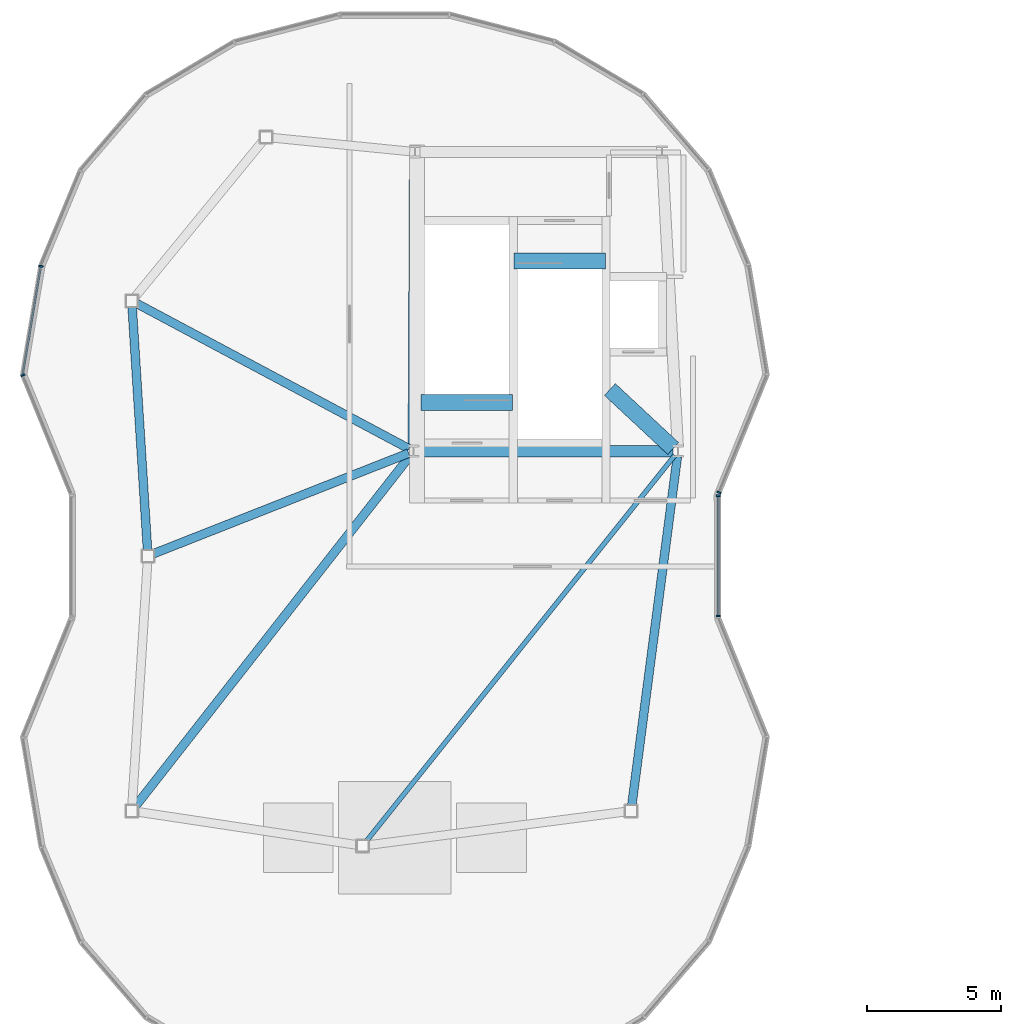
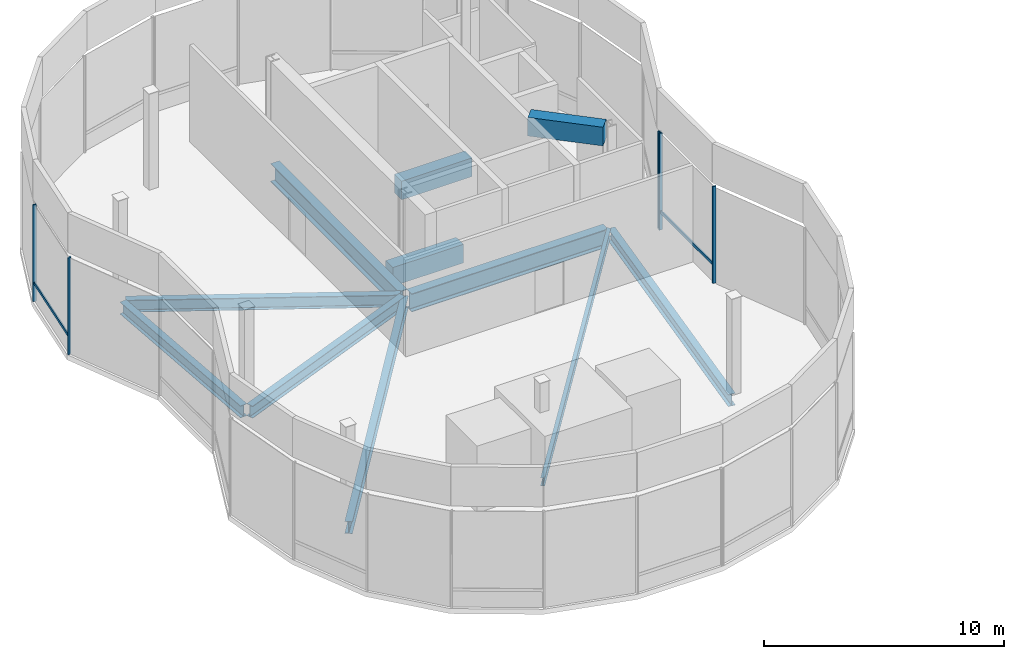
# One storey, part 4 of 14: 11 beams, 7 members, 3 elements without a shape of their own.
"""IFC4 building model written with IfcOpenShell, lengths in metres."""

import ifcopenshell
import ifcopenshell.guid

model = None  # the IFC model being written
_history = None  # IfcOwnerHistory: only IFC2X3 demands one
_inside = {}  # id of a spatial element -> (the spatial element, [elements in it])
_under = {}  # id of a project, library or spatial element -> (it, [spatial elements below it])
_declared = {}  # id of a project -> (the project, [libraries it declares])
_typed = {}  # id of a type object -> (the type object, [elements of that type])
_made_of = {}  # id of a material, layer set ... -> (it, [elements and type objects made of it])


def new_model(schema):
    """Start an empty IFC model of exactly this schema.

    Asked for "IFC4X3", IfcOpenShell would pick the latest addendum, in which some entities
    have other attributes; the version numbers below select the first issue.
    IFC2X3 requires an IfcOwnerHistory on every rooted entity: one is made here for all.
    """
    global model, _history
    if schema == "IFC4X3":
        model = ifcopenshell.file(schema_version=(4, 3, 0, 0))
    else:
        model = ifcopenshell.file(schema=schema)
    _inside.clear()
    _under.clear()
    _declared.clear()
    _typed.clear()
    _made_of.clear()
    _history = None
    if model.schema == "IFC2X3":
        org = make("IfcOrganization", Name="unknown")
        user = make(
            "IfcPersonAndOrganization",
            ThePerson=make("IfcPerson", FamilyName="unknown"),
            TheOrganization=org,
        )
        app = make(
            "IfcApplication",
            ApplicationDeveloper=org,
            Version="unknown",
            ApplicationFullName="unknown",
            ApplicationIdentifier="unknown",
        )
        _history = make(
            "IfcOwnerHistory",
            OwningUser=user,
            OwningApplication=app,
            ChangeAction="ADDED",
            CreationDate=0,
        )
    return model


def make(cls, **values):
    """One entity of the class cls with the attributes given. An attribute that is None is left unset."""
    return model.create_entity(
        cls, **{name: value for name, value in values.items() if value is not None}
    )


def rooted(cls, **values):
    """An entity with a GlobalId (a new one), such as an element, a storey or a relation."""
    return make(cls, GlobalId=ifcopenshell.guid.new(), OwnerHistory=_history, **values)


def si_unit(unit_type, name, prefix=None):
    """IfcSIUnit, for example si_unit("LENGTHUNIT", "METRE", prefix="MILLI")."""
    return make("IfcSIUnit", UnitType=unit_type, Prefix=prefix, Name=name)


def assignment(units):
    """IfcUnitAssignment: the units of a project."""
    return None if units is None else make("IfcUnitAssignment", Units=units)


def point(xyz):
    """IfcCartesianPoint."""
    return None if xyz is None else make("IfcCartesianPoint", Coordinates=xyz)


def direction(xyz):
    """IfcDirection."""
    return None if xyz is None else make("IfcDirection", DirectionRatios=xyz)


def frame(location, z_axis=None, x_axis=None):
    """IfcAxis2Placement3D, a coordinate frame: its origin and axes. An axis left out is left unset."""
    return make(
        "IfcAxis2Placement3D",
        Location=point(location),
        Axis=direction(z_axis),
        RefDirection=direction(x_axis),
    )


def frame_2d(location, x_axis=None):
    """IfcAxis2Placement2D, a coordinate frame in the plane: its origin and x axis."""
    return make(
        "IfcAxis2Placement2D", Location=point(location), RefDirection=direction(x_axis)
    )


def origin():
    """The frame at (0, 0, 0) with its axes left unset."""
    return frame((0.0, 0.0, 0.0))


def origin_2d():
    """The frame at (0, 0) in the plane with its x axis left unset."""
    return frame_2d((0.0, 0.0))


def place(relative_to, where):
    """IfcLocalPlacement: puts the frame where relative to a parent placement (None: the world)."""
    return make(
        "IfcLocalPlacement", PlacementRelTo=relative_to, RelativePlacement=where
    )


def context(
    kind, dimensions, precision=None, world=None, true_north=None, identifier=None
):
    """IfcGeometricRepresentationContext, for example the 3D "Model" context."""
    return make(
        "IfcGeometricRepresentationContext",
        ContextIdentifier=identifier,
        ContextType=kind,
        CoordinateSpaceDimension=dimensions,
        Precision=precision,
        WorldCoordinateSystem=world,
        TrueNorth=true_north,
    )


def subcontext(parent, identifier, kind, view, scale=None):
    """IfcGeometricRepresentationSubContext, for example "Body" below "Model"."""
    return make(
        "IfcGeometricRepresentationSubContext",
        ContextIdentifier=identifier,
        ContextType=kind,
        ParentContext=parent,
        TargetScale=scale,
        TargetView=view,
    )


def project(units=None, contexts=None):
    """IfcProject with its units and contexts."""
    return rooted(
        "IfcProject",
        Name="project",
        RepresentationContexts=contexts,
        UnitsInContext=assignment(units),
    )


def spatial(cls, under=None, at=None, **own):
    """A site, building, storey or space (cls), placed at a placement, below another one or the project."""
    s = rooted(cls, ObjectPlacement=at, **own)
    if under is not None:
        _under.setdefault(under.id(), (under, []))[1].append(s)
    return s


def profile(cls, at=None, kind="AREA", **sizes):
    """A parametric profile (cls). Its sizes go by their IFC names, for example OverallWidth=200.0."""
    return make(cls, ProfileType=kind, Position=at, **sizes)


def rectangle(**sizes):
    """IfcRectangleProfileDef."""
    return profile("IfcRectangleProfileDef", **sizes)


def i_section(**sizes):
    """IfcIShapeProfileDef."""
    return profile("IfcIShapeProfileDef", **sizes)


def extrude(swept, where, along, depth):
    """IfcExtrudedAreaSolid: the profile swept, set in the frame where, extruded along a direction by depth."""
    return make(
        "IfcExtrudedAreaSolid",
        SweptArea=swept,
        Position=where,
        ExtrudedDirection=direction(along),
        Depth=depth,
    )


def shape(context_of_items, identifier, shape_type, items):
    """IfcShapeRepresentation: the items that make up one representation, for example the "Body"."""
    return make(
        "IfcShapeRepresentation",
        ContextOfItems=context_of_items,
        RepresentationIdentifier=identifier,
        RepresentationType=shape_type,
        Items=items,
    )


def material(Name=None, Category=None):
    """IfcMaterial."""
    return make("IfcMaterial", Name=Name, Category=Category)


def material_profile(
    of_material, cross_section, Name=None, Category=None, Priority=None
):
    """IfcMaterialProfile: a cross section and its material."""
    return make(
        "IfcMaterialProfile",
        Name=Name,
        Material=of_material,
        Profile=cross_section,
        Priority=Priority,
        Category=Category,
    )


def profile_set(profiles, Name=None, composite=None):
    """IfcMaterialProfileSet."""
    return make(
        "IfcMaterialProfileSet",
        Name=Name,
        MaterialProfiles=profiles,
        CompositeProfile=composite,
    )


def made_of(thing, what):
    """Note that an element or type object is made of a material, layer set ...; save() writes the relation."""
    if what is not None:
        _made_of.setdefault(what.id(), (what, []))[1].append(thing)
    return thing


def type_object(cls, material=None, **own):
    """A type object (cls), such as IfcWallType, which elements share."""
    return made_of(rooted(cls, **own), material)


def element(
    cls,
    number,
    at=None,
    inside=None,
    cuts=None,
    type_object=None,
    material=None,
    context=None,
    identifier="Body",
    shape_type=None,
    held_by="IfcProductDefinitionShape",
    body=None,
    shapes=None,
    **own,
):
    """One element of the class cls, such as IfcWall. Its Tag is "e" and its number.

    at: its placement. inside: the storey or other place that contains it. cuts: it is an
    opening in that element (IfcRelVoidsElement). A single representation is given by context,
    identifier, shape_type and body (its items); several are given by shapes. held_by: the class
    of the entity that holds the representations. save() writes the other relations.
    """
    e = rooted(cls, Tag="e%d" % number, ObjectPlacement=at, **own)
    if body is not None:
        shapes = [shape(context, identifier, shape_type, body)]
    if shapes is not None:
        e.Representation = make(held_by, Representations=shapes)
    if inside is not None:
        _inside.setdefault(inside.id(), (inside, []))[1].append(e)
    if cuts is not None:
        rooted(
            "IfcRelVoidsElement", RelatingBuildingElement=cuts, RelatedOpeningElement=e
        )
    if type_object is not None:
        _typed.setdefault(type_object.id(), (type_object, []))[1].append(e)
    return made_of(e, material)


def aggregate(whole, parts):
    """IfcRelAggregates: a whole, such as a stair, and the parts it consists of."""
    return rooted("IfcRelAggregates", RelatingObject=whole, RelatedObjects=parts)


def save(model, path):
    """Write the relations noted so far, then the file.

    IfcRelAggregates (storeys below a building ...), IfcRelContainedInSpatialStructure (elements
    in a storey), IfcRelDefinesByType, IfcRelAssociatesMaterial and IfcRelDeclares: one each for
    every whole, place, type object, material and project.
    """
    for whole, parts in _under.values():
        aggregate(whole, parts)
    for where, things in _inside.values():
        rooted(
            "IfcRelContainedInSpatialStructure",
            RelatedElements=things,
            RelatingStructure=where,
        )
    for kind, things in _typed.values():
        rooted("IfcRelDefinesByType", RelatedObjects=things, RelatingType=kind)
    for what, things in _made_of.values():
        rooted("IfcRelAssociatesMaterial", RelatedObjects=things, RelatingMaterial=what)
    for by, libraries in _declared.values():
        rooted("IfcRelDeclares", RelatingContext=by, RelatedDefinitions=libraries)
    model.write(path)


model = new_model("IFC4")

# Units and contexts
model_context = context("Model", 3, precision=1e-05, world=origin(), true_north=direction((0.0, 1.0)))
body_context = subcontext(model_context, "Body", "Model", "MODEL_VIEW")
ifc_project = project(units=[si_unit("LENGTHUNIT", "METRE"), si_unit("AREAUNIT", "SQUARE_METRE"), si_unit("VOLUMEUNIT", "CUBIC_METRE"), si_unit("PLANEANGLEUNIT", "RADIAN"), si_unit("MASSUNIT", "GRAM", prefix="KILO"), si_unit("THERMODYNAMICTEMPERATUREUNIT", "KELVIN"), si_unit("POWERUNIT", "WATT")], contexts=[model_context])

# Site, building, storey
site_placement = place(None, origin())
site = spatial("IfcSite", under=ifc_project, at=site_placement, CompositionType="ELEMENT")
building_placement = place(site_placement, origin())
building = spatial("IfcBuilding", under=site, at=building_placement, Name="Cundina Bronze Exchange", CompositionType="ELEMENT")
storey_placement = place(building_placement, frame((0.0, 0.0, 286.39990234375)))
storey = spatial("IfcBuildingStorey", under=building, at=storey_placement, Name="L76", CompositionType="ELEMENT", Elevation=286.39990234375)

# Beams
ifc_material_1 = material(Name="Concrete C60/75", Category="concrete")
ifc_material_profile_1 = material_profile(ifc_material_1, rectangle(XDim=0.60009765625, YDim=0.949951171875, at=origin_2d()), Name="RC600X950", Category="concrete")
ifc_profile_set_1 = profile_set([ifc_material_profile_1], Name="Concrete C60/75")
beam_type_1 = type_object("IfcBeamType", Name="BM-COUP-RC950", PredefinedType="LINTEL", material=ifc_profile_set_1)
beam_1_placement = place(storey_placement, frame((-31.02001953125, 5.719970703125, -0.474853515625), z_axis=(1.0, 0.0, 0.0), x_axis=(0.0, 1.0, 0.0)))
element("IfcBeam", 1, at=beam_1_placement, inside=storey, type_object=beam_type_1, Name="L76 Stair W1 Landing Header Beam", PredefinedType="LINTEL", context=body_context, shape_type="SweptSolid", body=[
    extrude(rectangle(XDim=0.60009765625, YDim=0.949951171875, at=origin_2d()), origin(), (0.0, 0.0, 1.0), 3.39990234375),
])
beam_2_placement = place(storey_placement, frame((-27.56005859375, 10.97998046875, -0.474853515625), z_axis=(1.0, 0.0, 0.0), x_axis=(0.0, 1.0, 0.0)))
element("IfcBeam", 2, at=beam_2_placement, inside=storey, type_object=beam_type_1, Name="L76 Stair W2 Landing Header Beam", PredefinedType="LINTEL", context=body_context, shape_type="SweptSolid", body=[
    extrude(rectangle(XDim=0.60009765625, YDim=0.949951171875, at=origin_2d()), origin(), (0.0, 0.0, 1.0), 3.400146484375),
])
beam_3_placement = place(storey_placement, frame((-23.989990234375, 6.199951171875, 4.455078125), z_axis=(0.731490439815, -0.681851696822, 0.0), x_axis=(0.681851696822, 0.731490439815, 0.0)))
element("IfcBeam", 3, at=beam_3_placement, inside=storey, type_object=beam_type_1, Name="L76 W Core Shear Coupling Lintel Beam", PredefinedType="LINTEL", context=body_context, shape_type="SweptSolid", body=[
    extrude(rectangle(XDim=0.60009765625, YDim=0.949951171875, at=origin_2d()), origin(), (0.0, 0.0, 1.0), 3.226318359375),
])
ifc_material_2 = material(Name="Steel ASTM A992 Grade 50", Category="steel")
ifc_material_profile_2 = material_profile(ifc_material_2, i_section(OverallWidth=0.178955078125, OverallDepth=0.409912109375, WebThickness=0.0087890625, FlangeThickness=0.014404296875, FilletRadius=0.010986328125, at=origin_2d()), Name="W16X45", Category="steel")
ifc_profile_set_2 = profile_set([ifc_material_profile_2], Name="Steel ASTM A992 Grade 50")
beam_type_2 = type_object("IfcBeamType", Name="BM-JST-W16", PredefinedType="JOIST", material=ifc_profile_set_2)
beam_4_placement = place(storey_placement, frame((-21.572509765625, 3.746826171875, -0.46484375), z_axis=(-0.624366688299, -0.781131383662, 0.0), x_axis=(0.781131383662, -0.624366688299, 0.0)))
element("IfcBeam", 4, at=beam_4_placement, inside=storey, type_object=beam_type_2, Name="L76 W Interior Core-to-Ring Joist 2", PredefinedType="JOIST", context=body_context, shape_type="SweptSolid", body=[
    extrude(i_section(OverallWidth=0.178955078125, OverallDepth=0.409912109375, WebThickness=0.0087890625, FlangeThickness=0.014404296875, FilletRadius=0.010986328125, at=origin_2d()), origin(), (0.0, 0.0, 1.0), 18.40966796875),
])
ifc_material_profile_3 = material_profile(ifc_material_2, i_section(OverallWidth=0.324951171875, OverallDepth=0.615966796875, WebThickness=0.013916015625, FlangeThickness=0.021484375, FilletRadius=0.01611328125, at=origin_2d()), Name="W24X117", Category="steel")
ifc_profile_set_3 = profile_set([ifc_material_profile_3], Name="Steel ASTM A992 Grade 50")
beam_type_3 = type_object("IfcBeamType", Name="BM-RING-W24", PredefinedType="USERDEFINED", material=ifc_profile_set_3)
beam_5_placement = place(storey_placement, frame((-41.78662109375, 9.287353515625, -0.56787109375), z_axis=(0.063043564756, -0.998010775965, 0.0), x_axis=(0.998010775965, 0.063043564756, 0.0)))
element("IfcBeam", 5, at=beam_5_placement, inside=storey, type_object=beam_type_3, Name="L76 W Inner Structural Ring Girder 03", ObjectType="GIRDER", PredefinedType="USERDEFINED", context=body_context, shape_type="SweptSolid", body=[
    extrude(i_section(OverallWidth=0.324951171875, OverallDepth=0.615966796875, WebThickness=0.013916015625, FlangeThickness=0.021484375, FilletRadius=0.01611328125, at=origin_2d()), origin(), (0.0, 0.0, 1.0), 9.0927734375),
])
beam_6_placement = place(storey_placement, frame((-23.17236328125, -9.288818359375, -0.56787109375), z_axis=(0.129494487025, 0.99158014191, 0.0), x_axis=(-0.99158014191, 0.129494487025, 0.0)))
element("IfcBeam", 6, at=beam_6_placement, inside=storey, type_object=beam_type_3, Name="L76 W Inner Structural Ring Girder 07", ObjectType="GIRDER", PredefinedType="USERDEFINED", context=body_context, shape_type="SweptSolid", body=[
    extrude(i_section(OverallWidth=0.324951171875, OverallDepth=0.615966796875, WebThickness=0.013916015625, FlangeThickness=0.021484375, FilletRadius=0.01611328125, at=origin_2d()), origin(), (0.0, 0.0, 1.0), 13.10498046875),
])
beam_7_placement = place(storey_placement, frame((-31.482421875, 3.828125, -0.56787109375), z_axis=(-0.93040913258, -0.366522640518, 0.0), x_axis=(0.366522640518, -0.93040913258, 0.0)))
element("IfcBeam", 7, at=beam_7_placement, inside=storey, type_object=beam_type_3, Name="L76 W Core-to-Waist Tie Beam 1", ObjectType="GIRDER", PredefinedType="USERDEFINED", context=body_context, shape_type="SweptSolid", body=[
    extrude(i_section(OverallWidth=0.324951171875, OverallDepth=0.615966796875, WebThickness=0.013916015625, FlangeThickness=0.021484375, FilletRadius=0.01611328125, at=origin_2d()), origin(), (0.0, 0.0, 1.0), 10.231201171875),
])
beam_8_placement = place(storey_placement, frame((-31.472900390625, 3.9921875, -0.56787109375), z_axis=(-0.882347059857, 0.470599262602, 0.0), x_axis=(-0.470599262602, -0.882347059857, 0.0)))
element("IfcBeam", 8, at=beam_8_placement, inside=storey, type_object=beam_type_3, Name="L76 W Core-to-Waist Tie Beam 2", ObjectType="GIRDER", PredefinedType="USERDEFINED", context=body_context, shape_type="SweptSolid", body=[
    extrude(i_section(OverallWidth=0.324951171875, OverallDepth=0.615966796875, WebThickness=0.013916015625, FlangeThickness=0.021484375, FilletRadius=0.01611328125, at=origin_2d()), origin(), (0.0, 0.0, 1.0), 11.4912109375),
])
beam_9_placement = place(storey_placement, frame((-31.4208984375, 3.74560546875, -0.56787109375), z_axis=(-0.616791126611, -0.787126867877, 0.0), x_axis=(0.787126867877, -0.616791126611, 0.0)))
element("IfcBeam", 9, at=beam_9_placement, inside=storey, type_object=beam_type_3, Name="L76 W Core-to-Waist Tie Beam 3", ObjectType="GIRDER", PredefinedType="USERDEFINED", context=body_context, shape_type="SweptSolid", body=[
    extrude(i_section(OverallWidth=0.324951171875, OverallDepth=0.615966796875, WebThickness=0.013916015625, FlangeThickness=0.021484375, FilletRadius=0.01611328125, at=origin_2d()), origin(), (0.0, 0.0, 1.0), 16.61474609375),
])
ifc_material_profile_4 = material_profile(ifc_material_2, i_section(OverallWidth=0.41796875, OverallDepth=0.927001953125, WebThickness=0.019287109375, FlangeThickness=0.031982421875, FilletRadius=0.02392578125, at=origin_2d()), Name="W36X231", Category="steel")
ifc_profile_set_4 = profile_set([ifc_material_profile_4], Name="Steel ASTM A992 Grade 50")
beam_type_4 = type_object("IfcBeamType", Name="BM-WRN-W36B", PredefinedType="USERDEFINED", material=ifc_profile_set_4)
beam_10_placement = place(storey_placement, frame((-31.10400390625, 3.89990234375, -0.723388671875), z_axis=(1.0, 0.0, 0.0), x_axis=(0.0, 1.0, 0.0)))
element("IfcBeam", 10, at=beam_10_placement, inside=storey, type_object=beam_type_4, Name="L76 W Core Perimeter Tie Girder 1", ObjectType="GIRDER", PredefinedType="USERDEFINED", context=body_context, shape_type="SweptSolid", body=[
    extrude(i_section(OverallWidth=0.41796875, OverallDepth=0.927001953125, WebThickness=0.019287109375, FlangeThickness=0.031982421875, FilletRadius=0.02392578125, at=origin_2d()), origin(), (0.0, 0.0, 1.0), 9.4580078125),
])
beam_11_placement = place(storey_placement, frame((-31.2509765625, 14.85400390625, -0.723388671875), z_axis=(-0.004470623654, -0.999990006712, 0.0), x_axis=(0.999990006712, -0.004470623654, 0.0)))
element("IfcBeam", 11, at=beam_11_placement, inside=storey, type_object=beam_type_4, Name="L76 W Core Perimeter Tie Girder 4", ObjectType="GIRDER", PredefinedType="USERDEFINED", context=body_context, shape_type="SweptSolid", body=[
    extrude(i_section(OverallWidth=0.41796875, OverallDepth=0.927001953125, WebThickness=0.019287109375, FlangeThickness=0.031982421875, FilletRadius=0.02392578125, at=origin_2d()), origin(), (0.0, 0.0, 1.0), 10.758056640625),
])

# Curtain wall, member
ifc_material_3 = material(Name="Anodised Bronze Aluminium 6063-T6", Category="aluminium")
curtain_wall_type = type_object("IfcCurtainWallType", Name="CWS-CRN-TMD", PredefinedType="NOTDEFINED", material=ifc_material_3)
curtain_wall_1_placement = place(storey_placement, origin())
curtain_wall_1 = element("IfcCurtainWall", 12, at=curtain_wall_1_placement, inside=storey, type_object=curtain_wall_type, Name="L76 CW-07 Curtain Wall Run CWR-L76-W1", PredefinedType="NOTDEFINED")
ifc_material_profile_5 = material_profile(ifc_material_3, rectangle(XDim=0.06494140625, YDim=0.159912109375, at=origin_2d()), Name="AL65X160", Category="aluminium")
ifc_profile_set_5 = profile_set([ifc_material_profile_5], Name="Anodised Bronze Aluminium 6063-T6")
member_type_1 = type_object("IfcMemberType", Name="CWM-MUL-160", PredefinedType="MULLION", material=ifc_profile_set_5)
member_1_placement = place(storey_placement, frame((-19.927490234375, 2.364013671875, 0.0), z_axis=(0.0, 0.0, 1.0), x_axis=(0.377517574003, 0.926002419716, 0.0)))
member_1 = element("IfcMember", 13, at=member_1_placement, type_object=member_type_1, Name="CW-07 Mullion 1", PredefinedType="MULLION", context=body_context, shape_type="SweptSolid", body=[
    extrude(rectangle(XDim=0.06494140625, YDim=0.159912109375, at=origin_2d()), origin(), (0.0, 0.0, 1.0), 4.93017578125),
])
aggregate(curtain_wall_1, [member_1])

# Curtain wall, members
curtain_wall_2_placement = place(storey_placement, origin())
curtain_wall_2 = element("IfcCurtainWall", 14, at=curtain_wall_2_placement, inside=storey, type_object=curtain_wall_type, Name="L76 CW-07 Curtain Wall Run CWR-L76-W2", PredefinedType="NOTDEFINED")
member_2_placement = place(storey_placement, frame((-45.183837890625, 10.79150390625, 0.0), z_axis=(0.0, 0.0, 1.0), x_axis=(-0.165047605861, -0.986285601537, 0.0)))
member_2 = element("IfcMember", 15, at=member_2_placement, type_object=member_type_1, Name="CW-07 Mullion 5", PredefinedType="MULLION", context=body_context, shape_type="SweptSolid", body=[
    extrude(rectangle(XDim=0.06494140625, YDim=0.159912109375, at=origin_2d()), origin(), (0.0, 0.0, 1.0), 4.93017578125),
])
member_3_placement = place(storey_placement, frame((-45.854248046875, 6.733642578125, 0.0), z_axis=(0.0, 0.0, 1.0), x_axis=(0.377517574003, -0.926002419716, 0.0)))
member_3 = element("IfcMember", 16, at=member_3_placement, type_object=member_type_1, Name="CW-07 Mullion 6", PredefinedType="MULLION", context=body_context, shape_type="SweptSolid", body=[
    extrude(rectangle(XDim=0.06494140625, YDim=0.159912109375, at=origin_2d()), origin(), (0.0, 0.0, 1.0), 4.93017578125),
])

curtain_wall_3_placement = place(storey_placement, origin())
curtain_wall_3 = element("IfcCurtainWall", 17, at=curtain_wall_3_placement, inside=storey, type_object=curtain_wall_type, Name="L76 CW-07 Curtain Wall Run CWR-L76-W4", PredefinedType="NOTDEFINED")
member_4_placement = place(storey_placement, frame((-19.951904296875, -2.238525390625, 0.0), z_axis=(0.0, 0.0, 1.0), x_axis=(0.0, 1.0, 0.0)))
member_4 = element("IfcMember", 18, at=member_4_placement, type_object=member_type_1, Name="CW-07 Mullion 7", PredefinedType="MULLION", context=body_context, shape_type="SweptSolid", body=[
    extrude(rectangle(XDim=0.06494140625, YDim=0.159912109375, at=origin_2d()), origin(), (0.0, 0.0, 1.0), 4.93017578125),
])
member_5_placement = place(storey_placement, frame((-19.951904296875, 2.238525390625, 0.0), z_axis=(0.0, 0.0, 1.0), x_axis=(0.0, 1.0, 0.0)))
member_5 = element("IfcMember", 19, at=member_5_placement, type_object=member_type_1, Name="CW-07 End Mullion", PredefinedType="MULLION", context=body_context, shape_type="SweptSolid", body=[
    extrude(rectangle(XDim=0.06494140625, YDim=0.159912109375, at=origin_2d()), origin(), (0.0, 0.0, 1.0), 4.93017578125),
])

# Member
ifc_material_profile_6 = material_profile(ifc_material_3, rectangle(XDim=0.06494140625, YDim=0.14990234375, at=origin_2d()), Name="AL65X150", Category="aluminium")
ifc_profile_set_6 = profile_set([ifc_material_profile_6], Name="Anodised Bronze Aluminium 6063-T6")
member_type_2 = type_object("IfcMemberType", Name="CWM-TRN-150", PredefinedType="USERDEFINED", material=ifc_profile_set_6)
member_6_placement = place(storey_placement, frame((-45.189697265625, 10.75634765625, 0.920166015625), z_axis=(-0.165165290928, -0.986265900593, 0.0), x_axis=(0.986265900593, -0.165165290928, 0.0)))
member_6 = element("IfcMember", 20, at=member_6_placement, type_object=member_type_2, Name="CW-07 Spandrel Transom 5", ObjectType="TRANSOM", PredefinedType="USERDEFINED", context=body_context, shape_type="SweptSolid", body=[
    extrude(rectangle(XDim=0.06494140625, YDim=0.14990234375, at=origin_2d()), origin(), (0.0, 0.0, 1.0), 4.081298828125),
])

aggregate(curtain_wall_2, [member_2, member_6, member_3])

member_7_placement = place(storey_placement, frame((-19.951904296875, -2.20263671875, 0.920166015625), z_axis=(0.0, 1.0, 0.0), x_axis=(-1.0, 0.0, 0.0)))
member_7 = element("IfcMember", 21, at=member_7_placement, type_object=member_type_2, Name="CW-07 Spandrel Transom 7", ObjectType="TRANSOM", PredefinedType="USERDEFINED", context=body_context, shape_type="SweptSolid", body=[
    extrude(rectangle(XDim=0.06494140625, YDim=0.14990234375, at=origin_2d()), origin(), (0.0, 0.0, 1.0), 4.4052734375),
])

aggregate(curtain_wall_3, [member_4, member_5, member_7])

save(model, "model.ifc")
